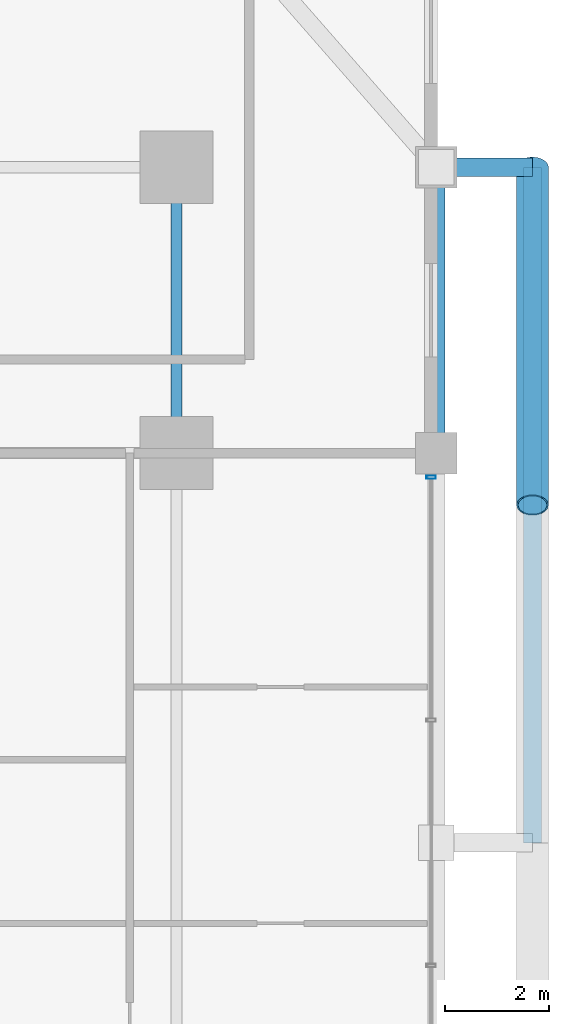
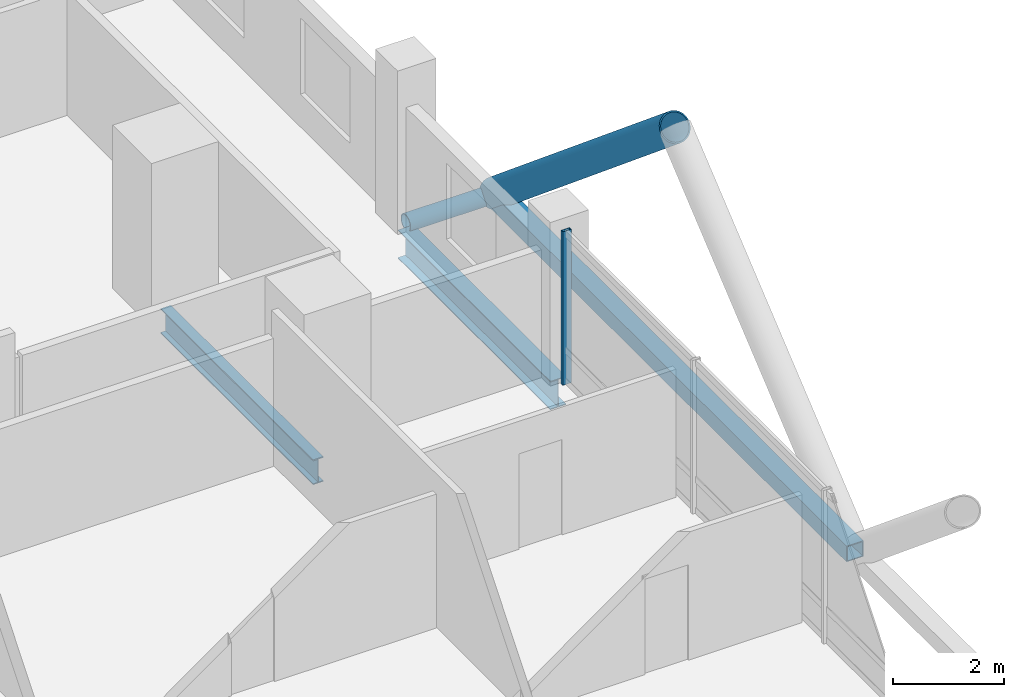
# One storey, part 19 of 27: 4 members, 2 beams, 1 element without a shape of its own.
"""IFC4 building model written with IfcOpenShell, lengths in metres."""

from ifc_helpers import new_model, si_unit, direction, frame, origin, origin_2d, place, context, subcontext, project, spatial, hollow_rectangle, hollow_circle, i_section, extrude, material, layer, layer_set, material_profile, profile_set, type_object, element, aggregate, save


model = new_model("IFC4")

# Units and contexts
model_context = context("Model", 3, precision=1e-05, world=origin(), true_north=direction((0.0, 1.0)))
body_context = subcontext(model_context, "Body", "Model", "MODEL_VIEW")
ifc_project = project(units=[si_unit("LENGTHUNIT", "METRE"), si_unit("AREAUNIT", "SQUARE_METRE"), si_unit("VOLUMEUNIT", "CUBIC_METRE"), si_unit("PLANEANGLEUNIT", "RADIAN"), si_unit("MASSUNIT", "GRAM", prefix="KILO")], contexts=[model_context])

# Site, building, storey
site_placement = place(None, origin())
site = spatial("IfcSite", under=ifc_project, at=site_placement, CompositionType="ELEMENT")
building_placement = place(site_placement, origin())
building = spatial("IfcBuilding", under=site, at=building_placement, Name="Barlavira Tower and Art Museum", CompositionType="ELEMENT")
storey_placement = place(building_placement, frame((0.0, 0.0, 61.199951171875)))
storey = spatial("IfcBuildingStorey", under=building, at=storey_placement, Name="L14", CompositionType="ELEMENT", Elevation=61.199951171875)

# Curtain wall, member
ifc_material_1 = material(Name="Low-iron coastal laminated glass", Category="glass")
ifc_layer = layer(ifc_material_1, 0.179931640625, Name="Low-iron coastal laminated glass")
ifc_layer_set = layer_set([ifc_layer], Name="Low-iron coastal laminated glass")
curtain_wall_type = type_object("IfcCurtainWallType", Name="Pale-Metal Unitised Curtain Wall Zone 1", PredefinedType="NOTDEFINED", material=ifc_layer_set)
curtain_wall_placement = place(storey_placement, origin())
curtain_wall = element("IfcCurtainWall", 1, at=curtain_wall_placement, inside=storey, type_object=curtain_wall_type, Name="L14 Curtain Wall CW1-L14-E-B3", PredefinedType="NOTDEFINED")
ifc_material_2 = material(Name="Pale anodised aluminium", Category="aluminium")
ifc_material_profile_1 = material_profile(ifc_material_2, hollow_rectangle(XDim=0.06494140625, YDim=0.179931640625, WallThickness=0.00390625, at=origin_2d()), Name="ALU-MULL 65x180x4")
ifc_profile_set_1 = profile_set([ifc_material_profile_1], Name="Pale anodised aluminium")
member_type_1 = type_object("IfcMemberType", Name="Curtain Wall Pale-Metal Mullion 65x180", PredefinedType="MULLION", material=ifc_profile_set_1)
member_1_placement = place(storey_placement, frame((21.89990234375, 7.034912109375, 0.0), z_axis=(0.0, 0.0, 1.0), x_axis=(0.0, 1.0, 0.0)))
member_1 = element("IfcMember", 2, at=member_1_placement, type_object=member_type_1, Name="CW1-L14-E-B3 Mullion 3", PredefinedType="MULLION", context=body_context, shape_type="SweptSolid", body=[
    extrude(hollow_rectangle(XDim=0.06494140625, YDim=0.179931640625, WallThickness=0.00390625, at=origin_2d()), origin(), (0.0, 0.0, 1.0), 3.380126953125),
])
aggregate(curtain_wall, [member_1])

# Members
ifc_material_3 = material(Name="Steel S355", Category="steel")
ifc_material_profile_2 = material_profile(ifc_material_3, hollow_circle(Radius=0.304931640625, WallThickness=0.028076171875, at=origin_2d()), Name="CHS 610.0x28.0")
ifc_profile_set_2 = profile_set([ifc_material_profile_2], Name="Steel S355")
member_type_2 = type_object("IfcMemberType", Name="Pale-Metal Exoskeleton Diagrid Tube CHS 610x28 Steel S355", PredefinedType="BRACE", material=ifc_profile_set_2)
member_2_placement = place(storey_placement, frame((23.85009765625, 13.0, -0.119873046875), z_axis=(0.0, -0.769196053329, 0.639012857104), x_axis=(1.0, 0.0, 0.0)))
element("IfcMember", 3, at=member_2_placement, inside=storey, type_object=member_type_2, Name="L14 Exoskeleton Diagrid Tube E", PredefinedType="BRACE", context=body_context, shape_type="SweptSolid", body=[
    extrude(hollow_circle(Radius=0.304931640625, WallThickness=0.028076171875, at=origin_2d()), origin(), (0.0, 0.0, 1.0), 8.450439453125),
])
ifc_material_profile_3 = material_profile(ifc_material_3, hollow_rectangle(XDim=0.35009765625, YDim=0.35009765625, WallThickness=0.02001953125, at=origin_2d()), Name="SHS 350x350x20.0")
ifc_profile_set_3 = profile_set([ifc_material_profile_3], Name="Steel S355")
member_type_3 = type_object("IfcMemberType", Name="Pale-Metal Exoskeleton Ring Strut SHS 350x350x20 Steel S355", PredefinedType="STRUT", material=ifc_profile_set_3)
member_3_placement = place(storey_placement, frame((23.85009765625, 0.0, -0.119873046875), z_axis=(0.0, 1.0, 0.0), x_axis=(-1.0, 0.0, 0.0)))
element("IfcMember", 4, at=member_3_placement, inside=storey, type_object=member_type_3, Name="L14 Exoskeleton Ring Strut E", PredefinedType="STRUT", context=body_context, shape_type="SweptSolid", body=[
    extrude(hollow_rectangle(XDim=0.35009765625, YDim=0.35009765625, WallThickness=0.02001953125, at=origin_2d()), origin(), (0.0, 0.0, 1.0), 13.0),
])
ifc_material_profile_4 = material_profile(ifc_material_3, hollow_circle(Radius=0.177734375, WallThickness=0.01611328125, at=origin_2d()), Name="CHS 355.6x16.0")
ifc_profile_set_4 = profile_set([ifc_material_profile_4], Name="Steel S355")
member_type_4 = type_object("IfcMemberType", Name="Pale-Metal Exoskeleton Tie Strut CHS 356x16 Steel S355", PredefinedType="STRUT", material=ifc_profile_set_4)
member_4_placement = place(storey_placement, frame((23.85009765625, 13.0, -0.119873046875), z_axis=(-1.0, 0.0, 0.0), x_axis=(0.0, -1.0, 0.0)))
element("IfcMember", 5, at=member_4_placement, inside=storey, type_object=member_type_4, Name="L14 Exoskeleton Tie Strut E3", PredefinedType="STRUT", context=body_context, shape_type="SweptSolid", body=[
    extrude(hollow_circle(Radius=0.177734375, WallThickness=0.01611328125, at=origin_2d()), origin(), (0.0, 0.0, 1.0), 1.85009765625),
])

# Beams
ifc_material_profile_5 = material_profile(ifc_material_3, i_section(OverallWidth=0.327880859375, OverallDepth=0.62890625, WebThickness=0.013916015625, FlangeThickness=0.021484375, at=origin_2d()), Name="W610x174.0")
ifc_profile_set_5 = profile_set([ifc_material_profile_5], Name="Steel S355")
beam_type_1 = type_object("IfcBeamType", Name="Perimeter Spandrel Edge Beam W610x174 Steel S355", PredefinedType="SPANDREL", material=ifc_profile_set_5)
beam_1_placement = place(storey_placement, frame((22.0, 7.5, -0.534423828125), z_axis=(0.0, 1.0, 0.0), x_axis=(-1.0, 0.0, 0.0)))
element("IfcBeam", 6, at=beam_1_placement, inside=storey, type_object=beam_type_1, Name="L14 Spandrel 7", PredefinedType="SPANDREL", context=body_context, shape_type="SweptSolid", body=[
    extrude(i_section(OverallWidth=0.327880859375, OverallDepth=0.62890625, WebThickness=0.013916015625, FlangeThickness=0.021484375, at=origin_2d()), origin(), (0.0, 0.0, 1.0), 5.5),
])
ifc_material_profile_6 = material_profile(ifc_material_3, i_section(OverallWidth=0.214111328125, OverallDepth=0.549072265625, WebThickness=0.0146484375, FlangeThickness=0.023681640625, at=origin_2d()), Name="W530x138.0")
ifc_profile_set_6 = profile_set([ifc_material_profile_6], Name="Steel S355")
beam_type_2 = type_object("IfcBeamType", Name="Zone 1 Primary Floor Girder W530x138 Steel S355", PredefinedType="BEAM", material=ifc_profile_set_6)
beam_2_placement = place(storey_placement, frame((17.0, 7.5, -0.494384765625), z_axis=(0.0, 1.0, 0.0), x_axis=(-1.0, 0.0, 0.0)))
element("IfcBeam", 7, at=beam_2_placement, inside=storey, type_object=beam_type_2, Name="L14 Girder M-E3", PredefinedType="BEAM", context=body_context, shape_type="SweptSolid", body=[
    extrude(i_section(OverallWidth=0.214111328125, OverallDepth=0.549072265625, WebThickness=0.0146484375, FlangeThickness=0.023681640625, at=origin_2d()), origin(), (0.0, 0.0, 1.0), 5.5),
])

save(model, "model.ifc")
